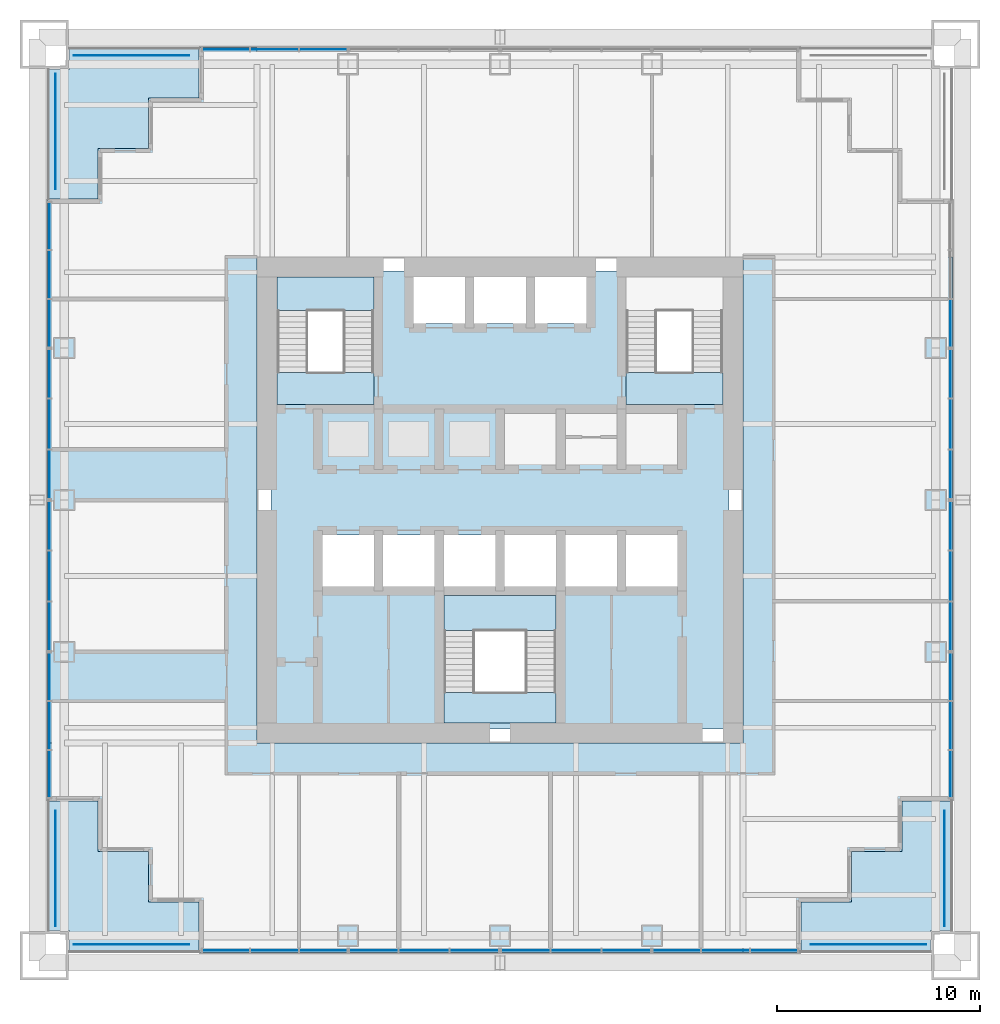
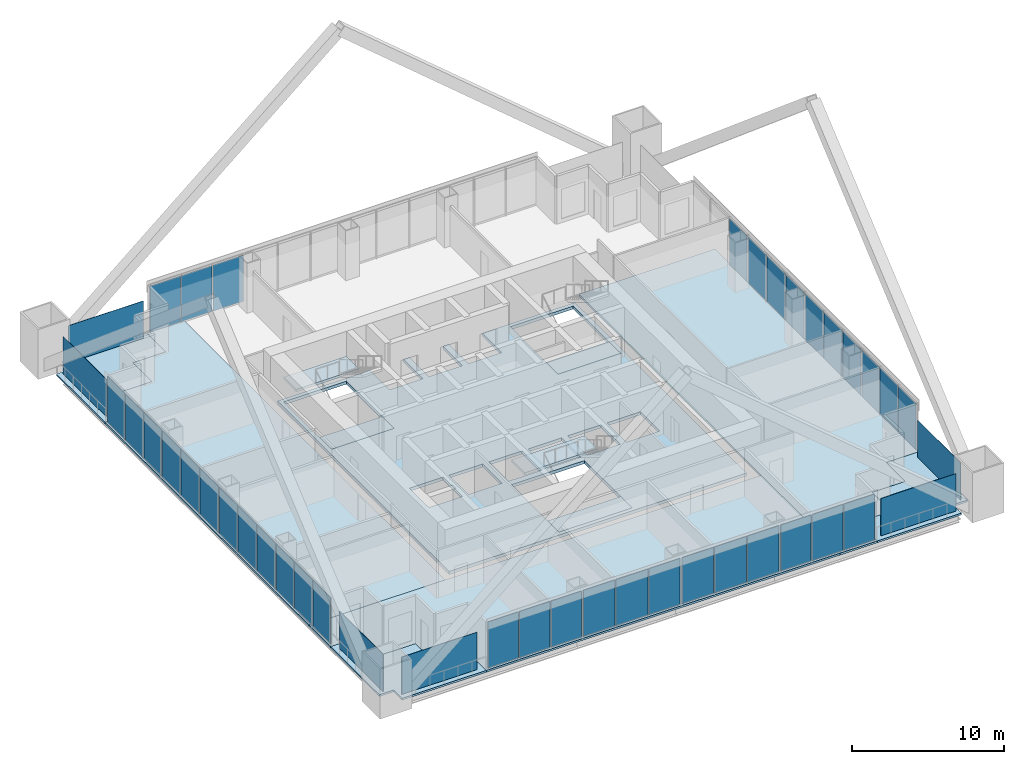
# One storey, part 7 of 14: 43 plates, 12 slabs, 16 elements without a shape of their own.
"""IFC4 building model written with IfcOpenShell, lengths in metres."""

from ifc_helpers import new_model, si_unit, direction, frame, origin, origin_2d, place, context, subcontext, project, spatial, polyline, rectangle, outline, extrude, material, layer, layer_set, type_object, element, aggregate, save


model = new_model("IFC4")

# Units and contexts
model_context = context("Model", 3, precision=1e-05, world=origin(), true_north=direction((0.0, 1.0)))
body_context = subcontext(model_context, "Body", "Model", "MODEL_VIEW")
ifc_project = project(units=[si_unit("LENGTHUNIT", "METRE"), si_unit("AREAUNIT", "SQUARE_METRE"), si_unit("VOLUMEUNIT", "CUBIC_METRE"), si_unit("PLANEANGLEUNIT", "RADIAN"), si_unit("MASSUNIT", "GRAM", prefix="KILO")], contexts=[model_context])

# Site, building, storey
site_placement = place(None, origin())
site = spatial("IfcSite", under=ifc_project, at=site_placement, CompositionType="ELEMENT")
building_placement = place(site_placement, origin())
building = spatial("IfcBuilding", under=site, at=building_placement, Name="Tarangal Relay Tower", CompositionType="ELEMENT")
storey_placement = place(building_placement, frame((0.0, 0.0, 177.89990234375)))
storey = spatial("IfcBuildingStorey", under=building, at=storey_placement, Name="L36", CompositionType="ELEMENT", Elevation=177.89990234375)

# Slabs
ifc_material_1 = material(Name="Concrete fc' 35 MPa", Category="concrete")
ifc_layer_1 = layer(ifc_material_1, 0.25)
ifc_layer_set_1 = layer_set([ifc_layer_1], Name="Core floor slab 250")
slab_type_1 = type_object("IfcSlabType", Name="Core floor slab 250", PredefinedType="FLOOR", material=ifc_layer_set_1)
slab_1_placement = place(storey_placement, frame((0.0, 0.0, -0.25)))
element("IfcSlab", 1, at=slab_1_placement, inside=storey, type_object=slab_type_1, Name="Core floor slab L36", PredefinedType="FLOOR", context=body_context, shape_type="SweptSolid", body=[
    extrude(outline(polyline([(11.300048828125, 11.300048828125), (11.300048828125, -11.300048828125), (-11.300048828125, -11.300048828125), (-11.300048828125, 11.300048828125), (-4.27490234375, 11.300048828125), (-4.27490234375, 8.72509765625), (-1.72509765625, 8.72509765625), (-1.72509765625, 11.300048828125), (-1.27490234375, 11.300048828125), (-1.27490234375, 8.72509765625), (1.27490234375, 8.72509765625), (1.27490234375, 11.300048828125), (1.72509765625, 11.300048828125), (1.72509765625, 8.72509765625), (4.27490234375, 8.72509765625), (4.27490234375, 11.300048828125), (11.300048828125, 11.300048828125)]), holes=[polyline([(-6.22509765625, -1.72509765625), (-8.77490234375, -1.72509765625), (-8.77490234375, -4.27490234375), (-6.22509765625, -4.27490234375), (-6.22509765625, -1.72509765625)]), polyline([(-3.22509765625, -4.27490234375), (-3.22509765625, -1.72509765625), (-5.77490234375, -1.72509765625), (-5.77490234375, -4.27490234375), (-3.22509765625, -4.27490234375)]), polyline([(-0.22509765625, -4.27490234375), (-0.22509765625, -1.72509765625), (-2.77490234375, -1.72509765625), (-2.77490234375, -4.27490234375), (-0.22509765625, -4.27490234375)]), polyline([(-6.22509765625, 11.0), (-11.0, 11.0), (-11.0, 4.72509765625), (-6.22509765625, 4.72509765625), (-6.22509765625, 11.0)]), polyline([(2.77490234375, -4.72509765625), (-2.77490234375, -4.72509765625), (-2.77490234375, -11.0), (2.77490234375, -11.0), (2.77490234375, -4.72509765625)]), polyline([(2.77490234375, -4.27490234375), (2.77490234375, -1.72509765625), (0.22509765625, -1.72509765625), (0.22509765625, -4.27490234375), (2.77490234375, -4.27490234375)]), polyline([(5.77490234375, -4.27490234375), (5.77490234375, -1.72509765625), (3.22509765625, -1.72509765625), (3.22509765625, -4.27490234375), (5.77490234375, -4.27490234375)]), polyline([(8.77490234375, -1.72509765625), (6.22509765625, -1.72509765625), (6.22509765625, -4.27490234375), (8.77490234375, -4.27490234375), (8.77490234375, -1.72509765625)]), polyline([(11.0, 4.72509765625), (11.0, 11.0), (6.22509765625, 11.0), (6.22509765625, 4.72509765625), (11.0, 4.72509765625)])]), origin(), (0.0, 0.0, 1.0), 0.25),
])
ifc_layer_2 = layer(ifc_material_1, 0.14990234375)
ifc_layer_set_2 = layer_set([ifc_layer_2], Name="Floor slab 150")
slab_type_2 = type_object("IfcSlabType", Name="Floor slab 150", PredefinedType="FLOOR", material=ifc_layer_set_2)
slab_2_placement = place(storey_placement, frame((0.0, 0.0, -0.14990234375)))
element("IfcSlab", 2, at=slab_2_placement, inside=storey, type_object=slab_type_2, Name="Floor slab FS3 L36 east bay", PredefinedType="FLOOR", context=body_context, shape_type="SweptSolid", body=[
    extrude(outline(polyline([(22.35009765625, -14.85009765625), (19.85009765625, -14.85009765625), (19.85009765625, -17.35009765625), (17.35009765625, -17.35009765625), (17.35009765625, -19.85009765625), (14.85009765625, -19.85009765625), (14.85009765625, -22.35009765625), (12.0, -22.35009765625), (12.0, 12.0), (22.35009765625, 12.0), (22.35009765625, -14.85009765625)])), origin(), (0.0, 0.0, 1.0), 0.14990234375),
])
slab_3_placement = place(storey_placement, frame((0.0, 0.0, -0.14990234375)))
element("IfcSlab", 3, at=slab_3_placement, inside=storey, type_object=slab_type_2, Name="Floor slab FS3 L36 south bay", PredefinedType="FLOOR", context=body_context, shape_type="SweptSolid", body=[
    extrude(outline(polyline([(-14.85009765625, -22.35009765625), (-14.85009765625, -19.85009765625), (-17.35009765625, -19.85009765625), (-17.35009765625, -17.35009765625), (-19.85009765625, -17.35009765625), (-19.85009765625, -14.85009765625), (-22.35009765625, -14.85009765625), (-22.35009765625, -12.0), (12.0, -12.0), (12.0, -22.35009765625), (-14.85009765625, -22.35009765625)])), origin(), (0.0, 0.0, 1.0), 0.14990234375),
])
slab_4_placement = place(storey_placement, frame((0.0, 0.0, -0.14990234375)))
element("IfcSlab", 4, at=slab_4_placement, inside=storey, type_object=slab_type_2, Name="Floor slab FS3 L36 west bay", PredefinedType="FLOOR", context=body_context, shape_type="SweptSolid", body=[
    extrude(outline(polyline([(-12.0, 22.35009765625), (-12.0, -12.0), (-22.35009765625, -12.0), (-22.35009765625, 14.85009765625), (-19.85009765625, 14.85009765625), (-19.85009765625, 17.35009765625), (-17.35009765625, 17.35009765625), (-17.35009765625, 19.85009765625), (-14.85009765625, 19.85009765625), (-14.85009765625, 22.35009765625), (-12.0, 22.35009765625)])), origin(), (0.0, 0.0, 1.0), 0.14990234375),
])

# Curtain wall, plates
ifc_material_2 = material(Name="Unitised curtain wall, dark glass and black aluminium", Category="aluminium")
curtain_wall_type = type_object("IfcCurtainWallType", Name="Curtain wall CW-S", PredefinedType="USERDEFINED", material=ifc_material_2)
curtain_wall_1_placement = place(storey_placement, origin())
curtain_wall_1 = element("IfcCurtainWall", 5, at=curtain_wall_1_placement, inside=storey, type_object=curtain_wall_type, Name="Curtain wall CW-S N facade L36", ObjectType="UNITISED CURTAIN WALL", PredefinedType="USERDEFINED")
ifc_material_3 = material(Name="Dark tinted insulated glass unit", Category="glass")
ifc_layer_3 = layer(ifc_material_3, 0.035888671875)
ifc_layer_set_3 = layer_set([ifc_layer_3], Name="Glazed panel CW-S 36")
plate_type_1 = type_object("IfcPlateType", Name="Glazed panel CW-S 36", PredefinedType="CURTAIN_PANEL", material=ifc_layer_set_3)
plate_1_placement = place(storey_placement, frame((-13.52294921875, 22.25, 0.0751953125), z_axis=(0.0, 0.0, 1.0), x_axis=(1.0, 0.0, 0.0)))
plate_1 = element("IfcPlate", 6, at=plate_1_placement, type_object=plate_type_1, Name="CW-S panel 1.1", PredefinedType="CURTAIN_PANEL", context=body_context, shape_type="SweptSolid", body=[
    extrude(rectangle(XDim=2.30419921875, YDim=0.035888671875, at=origin_2d()), origin(), (0.0, 0.0, 1.0), 3.699951171875),
])
plate_2_placement = place(storey_placement, frame((-11.125, 22.25, 0.0751953125), z_axis=(0.0, 0.0, 1.0), x_axis=(1.0, 0.0, 0.0)))
plate_2 = element("IfcPlate", 7, at=plate_2_placement, type_object=plate_type_1, Name="CW-S panel 2.1", PredefinedType="CURTAIN_PANEL", context=body_context, shape_type="SweptSolid", body=[
    extrude(rectangle(XDim=2.341552734375, YDim=0.035888671875, at=origin_2d()), origin(), (0.0, 0.0, 1.0), 3.699951171875),
])
plate_3_placement = place(storey_placement, frame((-8.72705078125, 22.25, 0.0751953125), z_axis=(0.0, 0.0, 1.0), x_axis=(1.0, 0.0, 0.0)))
plate_3 = element("IfcPlate", 8, at=plate_3_placement, type_object=plate_type_1, Name="CW-S panel 3.1", PredefinedType="CURTAIN_PANEL", context=body_context, shape_type="SweptSolid", body=[
    extrude(rectangle(XDim=2.30419921875, YDim=0.035888671875, at=origin_2d()), origin(), (0.0, 0.0, 1.0), 3.699951171875),
])
aggregate(curtain_wall_1, [plate_1, plate_2, plate_3])

# Curtain wall, plate
curtain_wall_2_placement = place(storey_placement, origin())
curtain_wall_2 = element("IfcCurtainWall", 9, at=curtain_wall_2_placement, inside=storey, type_object=curtain_wall_type, Name="Curtain wall CW-S E facade L36", ObjectType="UNITISED CURTAIN WALL", PredefinedType="USERDEFINED")
plate_4_placement = place(storey_placement, frame((22.25, 8.72705078125, 0.0751953125), z_axis=(0.0, 0.0, 1.0), x_axis=(0.0, -1.0, 0.0)))
plate_4 = element("IfcPlate", 10, at=plate_4_placement, type_object=plate_type_1, Name="CW-S panel 3.1", PredefinedType="CURTAIN_PANEL", context=body_context, shape_type="SweptSolid", body=[
    extrude(rectangle(XDim=2.30419921875, YDim=0.035888671875, at=origin_2d()), origin(), (0.0, 0.0, 1.0), 3.699951171875),
])
aggregate(curtain_wall_2, [plate_4])

# Curtain wall, plates
curtain_wall_3_placement = place(storey_placement, origin())
curtain_wall_3 = element("IfcCurtainWall", 11, at=curtain_wall_3_placement, inside=storey, type_object=curtain_wall_type, Name="Curtain wall CW-S E facade L36", ObjectType="UNITISED CURTAIN WALL", PredefinedType="USERDEFINED")
plate_5_placement = place(storey_placement, frame((22.25, 6.231201171875, 0.0751953125), z_axis=(0.0, 0.0, 1.0), x_axis=(0.0, -1.0, 0.0)))
plate_5 = element("IfcPlate", 12, at=plate_5_placement, type_object=plate_type_1, Name="CW-S panel 1.1", PredefinedType="CURTAIN_PANEL", context=body_context, shape_type="SweptSolid", body=[
    extrude(rectangle(XDim=2.387451171875, YDim=0.035888671875, at=origin_2d()), origin(), (0.0, 0.0, 1.0), 3.699951171875),
])
plate_6_placement = place(storey_placement, frame((22.25, 3.75, 0.0751953125), z_axis=(0.0, 0.0, 1.0), x_axis=(0.0, -1.0, 0.0)))
plate_6 = element("IfcPlate", 13, at=plate_6_placement, type_object=plate_type_1, Name="CW-S panel 2.1", PredefinedType="CURTAIN_PANEL", context=body_context, shape_type="SweptSolid", body=[
    extrude(rectangle(XDim=2.425048828125, YDim=0.035888671875, at=origin_2d()), origin(), (0.0, 0.0, 1.0), 3.699951171875),
])
plate_7_placement = place(storey_placement, frame((22.25, 1.268798828125, 0.0751953125), z_axis=(0.0, 0.0, 1.0), x_axis=(0.0, -1.0, 0.0)))
plate_7 = element("IfcPlate", 14, at=plate_7_placement, type_object=plate_type_1, Name="CW-S panel 3.1", PredefinedType="CURTAIN_PANEL", context=body_context, shape_type="SweptSolid", body=[
    extrude(rectangle(XDim=2.387451171875, YDim=0.035888671875, at=origin_2d()), origin(), (0.0, 0.0, 1.0), 3.699951171875),
])
aggregate(curtain_wall_3, [plate_5, plate_6, plate_7])

curtain_wall_4_placement = place(storey_placement, origin())
curtain_wall_4 = element("IfcCurtainWall", 15, at=curtain_wall_4_placement, inside=storey, type_object=curtain_wall_type, Name="Curtain wall CW-S E facade L36", ObjectType="UNITISED CURTAIN WALL", PredefinedType="USERDEFINED")
plate_8_placement = place(storey_placement, frame((22.25, -1.268798828125, 0.0751953125), z_axis=(0.0, 0.0, 1.0), x_axis=(0.0, -1.0, 0.0)))
plate_8 = element("IfcPlate", 16, at=plate_8_placement, type_object=plate_type_1, Name="CW-S panel 1.1", PredefinedType="CURTAIN_PANEL", context=body_context, shape_type="SweptSolid", body=[
    extrude(rectangle(XDim=2.387451171875, YDim=0.035888671875, at=origin_2d()), origin(), (0.0, 0.0, 1.0), 3.699951171875),
])
plate_9_placement = place(storey_placement, frame((22.25, -3.75, 0.0751953125), z_axis=(0.0, 0.0, 1.0), x_axis=(0.0, -1.0, 0.0)))
plate_9 = element("IfcPlate", 17, at=plate_9_placement, type_object=plate_type_1, Name="CW-S panel 2.1", PredefinedType="CURTAIN_PANEL", context=body_context, shape_type="SweptSolid", body=[
    extrude(rectangle(XDim=2.425048828125, YDim=0.035888671875, at=origin_2d()), origin(), (0.0, 0.0, 1.0), 3.699951171875),
])
plate_10_placement = place(storey_placement, frame((22.25, -6.231201171875, 0.0751953125), z_axis=(0.0, 0.0, 1.0), x_axis=(0.0, -1.0, 0.0)))
plate_10 = element("IfcPlate", 18, at=plate_10_placement, type_object=plate_type_1, Name="CW-S panel 3.1", PredefinedType="CURTAIN_PANEL", context=body_context, shape_type="SweptSolid", body=[
    extrude(rectangle(XDim=2.387451171875, YDim=0.035888671875, at=origin_2d()), origin(), (0.0, 0.0, 1.0), 3.699951171875),
])
aggregate(curtain_wall_4, [plate_8, plate_9, plate_10])

curtain_wall_5_placement = place(storey_placement, origin())
curtain_wall_5 = element("IfcCurtainWall", 19, at=curtain_wall_5_placement, inside=storey, type_object=curtain_wall_type, Name="Curtain wall CW-S E facade L36", ObjectType="UNITISED CURTAIN WALL", PredefinedType="USERDEFINED")
plate_11_placement = place(storey_placement, frame((22.25, -8.72705078125, 0.0751953125), z_axis=(0.0, 0.0, 1.0), x_axis=(0.0, -1.0, 0.0)))
plate_11 = element("IfcPlate", 20, at=plate_11_placement, type_object=plate_type_1, Name="CW-S panel 1.1", PredefinedType="CURTAIN_PANEL", context=body_context, shape_type="SweptSolid", body=[
    extrude(rectangle(XDim=2.30419921875, YDim=0.035888671875, at=origin_2d()), origin(), (0.0, 0.0, 1.0), 3.699951171875),
])
plate_12_placement = place(storey_placement, frame((22.25, -11.125, 0.0751953125), z_axis=(0.0, 0.0, 1.0), x_axis=(0.0, -1.0, 0.0)))
plate_12 = element("IfcPlate", 21, at=plate_12_placement, type_object=plate_type_1, Name="CW-S panel 2.1", PredefinedType="CURTAIN_PANEL", context=body_context, shape_type="SweptSolid", body=[
    extrude(rectangle(XDim=2.341552734375, YDim=0.035888671875, at=origin_2d()), origin(), (0.0, 0.0, 1.0), 3.699951171875),
])
plate_13_placement = place(storey_placement, frame((22.25, -13.52294921875, 0.0751953125), z_axis=(0.0, 0.0, 1.0), x_axis=(0.0, -1.0, 0.0)))
plate_13 = element("IfcPlate", 22, at=plate_13_placement, type_object=plate_type_1, Name="CW-S panel 3.1", PredefinedType="CURTAIN_PANEL", context=body_context, shape_type="SweptSolid", body=[
    extrude(rectangle(XDim=2.30419921875, YDim=0.035888671875, at=origin_2d()), origin(), (0.0, 0.0, 1.0), 3.699951171875),
])
aggregate(curtain_wall_5, [plate_11, plate_12, plate_13])

curtain_wall_6_placement = place(storey_placement, origin())
curtain_wall_6 = element("IfcCurtainWall", 23, at=curtain_wall_6_placement, inside=storey, type_object=curtain_wall_type, Name="Curtain wall CW-S S facade L36", ObjectType="UNITISED CURTAIN WALL", PredefinedType="USERDEFINED")
plate_14_placement = place(storey_placement, frame((13.52294921875, -22.25, 0.0751953125), z_axis=(0.0, 0.0, 1.0), x_axis=(-1.0, 0.0, 0.0)))
plate_14 = element("IfcPlate", 24, at=plate_14_placement, type_object=plate_type_1, Name="CW-S panel 1.1", PredefinedType="CURTAIN_PANEL", context=body_context, shape_type="SweptSolid", body=[
    extrude(rectangle(XDim=2.30419921875, YDim=0.035888671875, at=origin_2d()), origin(), (0.0, 0.0, 1.0), 3.699951171875),
])
plate_15_placement = place(storey_placement, frame((11.125, -22.25, 0.0751953125), z_axis=(0.0, 0.0, 1.0), x_axis=(-1.0, 0.0, 0.0)))
plate_15 = element("IfcPlate", 25, at=plate_15_placement, type_object=plate_type_1, Name="CW-S panel 2.1", PredefinedType="CURTAIN_PANEL", context=body_context, shape_type="SweptSolid", body=[
    extrude(rectangle(XDim=2.341552734375, YDim=0.035888671875, at=origin_2d()), origin(), (0.0, 0.0, 1.0), 3.699951171875),
])
plate_16_placement = place(storey_placement, frame((8.72705078125, -22.25, 0.0751953125), z_axis=(0.0, 0.0, 1.0), x_axis=(-1.0, 0.0, 0.0)))
plate_16 = element("IfcPlate", 26, at=plate_16_placement, type_object=plate_type_1, Name="CW-S panel 3.1", PredefinedType="CURTAIN_PANEL", context=body_context, shape_type="SweptSolid", body=[
    extrude(rectangle(XDim=2.30419921875, YDim=0.035888671875, at=origin_2d()), origin(), (0.0, 0.0, 1.0), 3.699951171875),
])
aggregate(curtain_wall_6, [plate_14, plate_15, plate_16])

curtain_wall_7_placement = place(storey_placement, origin())
curtain_wall_7 = element("IfcCurtainWall", 27, at=curtain_wall_7_placement, inside=storey, type_object=curtain_wall_type, Name="Curtain wall CW-S S facade L36", ObjectType="UNITISED CURTAIN WALL", PredefinedType="USERDEFINED")
plate_17_placement = place(storey_placement, frame((6.231201171875, -22.25, 0.0751953125), z_axis=(0.0, 0.0, 1.0), x_axis=(-1.0, 0.0, 0.0)))
plate_17 = element("IfcPlate", 28, at=plate_17_placement, type_object=plate_type_1, Name="CW-S panel 1.1", PredefinedType="CURTAIN_PANEL", context=body_context, shape_type="SweptSolid", body=[
    extrude(rectangle(XDim=2.387451171875, YDim=0.035888671875, at=origin_2d()), origin(), (0.0, 0.0, 1.0), 3.699951171875),
])
plate_18_placement = place(storey_placement, frame((3.75, -22.25, 0.0751953125), z_axis=(0.0, 0.0, 1.0), x_axis=(-1.0, 0.0, 0.0)))
plate_18 = element("IfcPlate", 29, at=plate_18_placement, type_object=plate_type_1, Name="CW-S panel 2.1", PredefinedType="CURTAIN_PANEL", context=body_context, shape_type="SweptSolid", body=[
    extrude(rectangle(XDim=2.425048828125, YDim=0.035888671875, at=origin_2d()), origin(), (0.0, 0.0, 1.0), 3.699951171875),
])
plate_19_placement = place(storey_placement, frame((1.268798828125, -22.25, 0.0751953125), z_axis=(0.0, 0.0, 1.0), x_axis=(-1.0, 0.0, 0.0)))
plate_19 = element("IfcPlate", 30, at=plate_19_placement, type_object=plate_type_1, Name="CW-S panel 3.1", PredefinedType="CURTAIN_PANEL", context=body_context, shape_type="SweptSolid", body=[
    extrude(rectangle(XDim=2.387451171875, YDim=0.035888671875, at=origin_2d()), origin(), (0.0, 0.0, 1.0), 3.699951171875),
])
aggregate(curtain_wall_7, [plate_17, plate_18, plate_19])

curtain_wall_8_placement = place(storey_placement, origin())
curtain_wall_8 = element("IfcCurtainWall", 31, at=curtain_wall_8_placement, inside=storey, type_object=curtain_wall_type, Name="Curtain wall CW-S S facade L36", ObjectType="UNITISED CURTAIN WALL", PredefinedType="USERDEFINED")
plate_20_placement = place(storey_placement, frame((-1.268798828125, -22.25, 0.0751953125), z_axis=(0.0, 0.0, 1.0), x_axis=(-1.0, 0.0, 0.0)))
plate_20 = element("IfcPlate", 32, at=plate_20_placement, type_object=plate_type_1, Name="CW-S panel 1.1", PredefinedType="CURTAIN_PANEL", context=body_context, shape_type="SweptSolid", body=[
    extrude(rectangle(XDim=2.387451171875, YDim=0.035888671875, at=origin_2d()), origin(), (0.0, 0.0, 1.0), 3.699951171875),
])
plate_21_placement = place(storey_placement, frame((-3.75, -22.25, 0.0751953125), z_axis=(0.0, 0.0, 1.0), x_axis=(-1.0, 0.0, 0.0)))
plate_21 = element("IfcPlate", 33, at=plate_21_placement, type_object=plate_type_1, Name="CW-S panel 2.1", PredefinedType="CURTAIN_PANEL", context=body_context, shape_type="SweptSolid", body=[
    extrude(rectangle(XDim=2.425048828125, YDim=0.035888671875, at=origin_2d()), origin(), (0.0, 0.0, 1.0), 3.699951171875),
])
plate_22_placement = place(storey_placement, frame((-6.231201171875, -22.25, 0.0751953125), z_axis=(0.0, 0.0, 1.0), x_axis=(-1.0, 0.0, 0.0)))
plate_22 = element("IfcPlate", 34, at=plate_22_placement, type_object=plate_type_1, Name="CW-S panel 3.1", PredefinedType="CURTAIN_PANEL", context=body_context, shape_type="SweptSolid", body=[
    extrude(rectangle(XDim=2.387451171875, YDim=0.035888671875, at=origin_2d()), origin(), (0.0, 0.0, 1.0), 3.699951171875),
])
aggregate(curtain_wall_8, [plate_20, plate_21, plate_22])

curtain_wall_9_placement = place(storey_placement, origin())
curtain_wall_9 = element("IfcCurtainWall", 35, at=curtain_wall_9_placement, inside=storey, type_object=curtain_wall_type, Name="Curtain wall CW-S S facade L36", ObjectType="UNITISED CURTAIN WALL", PredefinedType="USERDEFINED")
plate_23_placement = place(storey_placement, frame((-8.72705078125, -22.25, 0.0751953125), z_axis=(0.0, 0.0, 1.0), x_axis=(-1.0, 0.0, 0.0)))
plate_23 = element("IfcPlate", 36, at=plate_23_placement, type_object=plate_type_1, Name="CW-S panel 1.1", PredefinedType="CURTAIN_PANEL", context=body_context, shape_type="SweptSolid", body=[
    extrude(rectangle(XDim=2.30419921875, YDim=0.035888671875, at=origin_2d()), origin(), (0.0, 0.0, 1.0), 3.699951171875),
])
plate_24_placement = place(storey_placement, frame((-11.125, -22.25, 0.0751953125), z_axis=(0.0, 0.0, 1.0), x_axis=(-1.0, 0.0, 0.0)))
plate_24 = element("IfcPlate", 37, at=plate_24_placement, type_object=plate_type_1, Name="CW-S panel 2.1", PredefinedType="CURTAIN_PANEL", context=body_context, shape_type="SweptSolid", body=[
    extrude(rectangle(XDim=2.341552734375, YDim=0.035888671875, at=origin_2d()), origin(), (0.0, 0.0, 1.0), 3.699951171875),
])
plate_25_placement = place(storey_placement, frame((-13.52294921875, -22.25, 0.0751953125), z_axis=(0.0, 0.0, 1.0), x_axis=(-1.0, 0.0, 0.0)))
plate_25 = element("IfcPlate", 38, at=plate_25_placement, type_object=plate_type_1, Name="CW-S panel 3.1", PredefinedType="CURTAIN_PANEL", context=body_context, shape_type="SweptSolid", body=[
    extrude(rectangle(XDim=2.30419921875, YDim=0.035888671875, at=origin_2d()), origin(), (0.0, 0.0, 1.0), 3.699951171875),
])
aggregate(curtain_wall_9, [plate_23, plate_24, plate_25])

curtain_wall_10_placement = place(storey_placement, origin())
curtain_wall_10 = element("IfcCurtainWall", 39, at=curtain_wall_10_placement, inside=storey, type_object=curtain_wall_type, Name="Curtain wall CW-S W facade L36", ObjectType="UNITISED CURTAIN WALL", PredefinedType="USERDEFINED")
plate_26_placement = place(storey_placement, frame((-22.25, -13.52294921875, 0.0751953125), z_axis=(0.0, 0.0, 1.0), x_axis=(0.0, 1.0, 0.0)))
plate_26 = element("IfcPlate", 40, at=plate_26_placement, type_object=plate_type_1, Name="CW-S panel 1.1", PredefinedType="CURTAIN_PANEL", context=body_context, shape_type="SweptSolid", body=[
    extrude(rectangle(XDim=2.30419921875, YDim=0.035888671875, at=origin_2d()), origin(), (0.0, 0.0, 1.0), 3.699951171875),
])
plate_27_placement = place(storey_placement, frame((-22.25, -11.125, 0.0751953125), z_axis=(0.0, 0.0, 1.0), x_axis=(0.0, 1.0, 0.0)))
plate_27 = element("IfcPlate", 41, at=plate_27_placement, type_object=plate_type_1, Name="CW-S panel 2.1", PredefinedType="CURTAIN_PANEL", context=body_context, shape_type="SweptSolid", body=[
    extrude(rectangle(XDim=2.341552734375, YDim=0.035888671875, at=origin_2d()), origin(), (0.0, 0.0, 1.0), 3.699951171875),
])
plate_28_placement = place(storey_placement, frame((-22.25, -8.72705078125, 0.0751953125), z_axis=(0.0, 0.0, 1.0), x_axis=(0.0, 1.0, 0.0)))
plate_28 = element("IfcPlate", 42, at=plate_28_placement, type_object=plate_type_1, Name="CW-S panel 3.1", PredefinedType="CURTAIN_PANEL", context=body_context, shape_type="SweptSolid", body=[
    extrude(rectangle(XDim=2.30419921875, YDim=0.035888671875, at=origin_2d()), origin(), (0.0, 0.0, 1.0), 3.699951171875),
])
aggregate(curtain_wall_10, [plate_26, plate_27, plate_28])

curtain_wall_11_placement = place(storey_placement, origin())
curtain_wall_11 = element("IfcCurtainWall", 43, at=curtain_wall_11_placement, inside=storey, type_object=curtain_wall_type, Name="Curtain wall CW-S W facade L36", ObjectType="UNITISED CURTAIN WALL", PredefinedType="USERDEFINED")
plate_29_placement = place(storey_placement, frame((-22.25, -6.231201171875, 0.0751953125), z_axis=(0.0, 0.0, 1.0), x_axis=(0.0, 1.0, 0.0)))
plate_29 = element("IfcPlate", 44, at=plate_29_placement, type_object=plate_type_1, Name="CW-S panel 1.1", PredefinedType="CURTAIN_PANEL", context=body_context, shape_type="SweptSolid", body=[
    extrude(rectangle(XDim=2.387451171875, YDim=0.035888671875, at=origin_2d()), origin(), (0.0, 0.0, 1.0), 3.699951171875),
])
plate_30_placement = place(storey_placement, frame((-22.25, -3.75, 0.0751953125), z_axis=(0.0, 0.0, 1.0), x_axis=(0.0, 1.0, 0.0)))
plate_30 = element("IfcPlate", 45, at=plate_30_placement, type_object=plate_type_1, Name="CW-S panel 2.1", PredefinedType="CURTAIN_PANEL", context=body_context, shape_type="SweptSolid", body=[
    extrude(rectangle(XDim=2.425048828125, YDim=0.035888671875, at=origin_2d()), origin(), (0.0, 0.0, 1.0), 3.699951171875),
])
plate_31_placement = place(storey_placement, frame((-22.25, -1.268798828125, 0.0751953125), z_axis=(0.0, 0.0, 1.0), x_axis=(0.0, 1.0, 0.0)))
plate_31 = element("IfcPlate", 46, at=plate_31_placement, type_object=plate_type_1, Name="CW-S panel 3.1", PredefinedType="CURTAIN_PANEL", context=body_context, shape_type="SweptSolid", body=[
    extrude(rectangle(XDim=2.387451171875, YDim=0.035888671875, at=origin_2d()), origin(), (0.0, 0.0, 1.0), 3.699951171875),
])
aggregate(curtain_wall_11, [plate_29, plate_30, plate_31])

curtain_wall_12_placement = place(storey_placement, origin())
curtain_wall_12 = element("IfcCurtainWall", 47, at=curtain_wall_12_placement, inside=storey, type_object=curtain_wall_type, Name="Curtain wall CW-S W facade L36", ObjectType="UNITISED CURTAIN WALL", PredefinedType="USERDEFINED")
plate_32_placement = place(storey_placement, frame((-22.25, 1.268798828125, 0.0751953125), z_axis=(0.0, 0.0, 1.0), x_axis=(0.0, 1.0, 0.0)))
plate_32 = element("IfcPlate", 48, at=plate_32_placement, type_object=plate_type_1, Name="CW-S panel 1.1", PredefinedType="CURTAIN_PANEL", context=body_context, shape_type="SweptSolid", body=[
    extrude(rectangle(XDim=2.387451171875, YDim=0.035888671875, at=origin_2d()), origin(), (0.0, 0.0, 1.0), 3.699951171875),
])
plate_33_placement = place(storey_placement, frame((-22.25, 3.75, 0.0751953125), z_axis=(0.0, 0.0, 1.0), x_axis=(0.0, 1.0, 0.0)))
plate_33 = element("IfcPlate", 49, at=plate_33_placement, type_object=plate_type_1, Name="CW-S panel 2.1", PredefinedType="CURTAIN_PANEL", context=body_context, shape_type="SweptSolid", body=[
    extrude(rectangle(XDim=2.425048828125, YDim=0.035888671875, at=origin_2d()), origin(), (0.0, 0.0, 1.0), 3.699951171875),
])
plate_34_placement = place(storey_placement, frame((-22.25, 6.231201171875, 0.0751953125), z_axis=(0.0, 0.0, 1.0), x_axis=(0.0, 1.0, 0.0)))
plate_34 = element("IfcPlate", 50, at=plate_34_placement, type_object=plate_type_1, Name="CW-S panel 3.1", PredefinedType="CURTAIN_PANEL", context=body_context, shape_type="SweptSolid", body=[
    extrude(rectangle(XDim=2.387451171875, YDim=0.035888671875, at=origin_2d()), origin(), (0.0, 0.0, 1.0), 3.699951171875),
])
aggregate(curtain_wall_12, [plate_32, plate_33, plate_34])

curtain_wall_13_placement = place(storey_placement, origin())
curtain_wall_13 = element("IfcCurtainWall", 51, at=curtain_wall_13_placement, inside=storey, type_object=curtain_wall_type, Name="Curtain wall CW-S W facade L36", ObjectType="UNITISED CURTAIN WALL", PredefinedType="USERDEFINED")
plate_35_placement = place(storey_placement, frame((-22.25, 8.72705078125, 0.0751953125), z_axis=(0.0, 0.0, 1.0), x_axis=(0.0, 1.0, 0.0)))
plate_35 = element("IfcPlate", 52, at=plate_35_placement, type_object=plate_type_1, Name="CW-S panel 1.1", PredefinedType="CURTAIN_PANEL", context=body_context, shape_type="SweptSolid", body=[
    extrude(rectangle(XDim=2.30419921875, YDim=0.035888671875, at=origin_2d()), origin(), (0.0, 0.0, 1.0), 3.699951171875),
])
plate_36_placement = place(storey_placement, frame((-22.25, 11.125, 0.0751953125), z_axis=(0.0, 0.0, 1.0), x_axis=(0.0, 1.0, 0.0)))
plate_36 = element("IfcPlate", 53, at=plate_36_placement, type_object=plate_type_1, Name="CW-S panel 2.1", PredefinedType="CURTAIN_PANEL", context=body_context, shape_type="SweptSolid", body=[
    extrude(rectangle(XDim=2.341552734375, YDim=0.035888671875, at=origin_2d()), origin(), (0.0, 0.0, 1.0), 3.699951171875),
])
plate_37_placement = place(storey_placement, frame((-22.25, 13.52294921875, 0.0751953125), z_axis=(0.0, 0.0, 1.0), x_axis=(0.0, 1.0, 0.0)))
plate_37 = element("IfcPlate", 54, at=plate_37_placement, type_object=plate_type_1, Name="CW-S panel 3.1", PredefinedType="CURTAIN_PANEL", context=body_context, shape_type="SweptSolid", body=[
    extrude(rectangle(XDim=2.30419921875, YDim=0.035888671875, at=origin_2d()), origin(), (0.0, 0.0, 1.0), 3.699951171875),
])
aggregate(curtain_wall_13, [plate_35, plate_36, plate_37])

# Plates
ifc_material_4 = material(Name="Black stainless steel cable trellis with climbing planting", Category="steel")
ifc_layer_4 = layer(ifc_material_4, 0.030029296875)
ifc_layer_set_4 = layer_set([ifc_layer_4], Name="Planted trellis screen")
plate_type_2 = type_object("IfcPlateType", Name="Planted trellis screen", PredefinedType="SHEET", material=ifc_layer_set_4)
for number, where, z_axis, x_axis, name in (
    (55, (18.199951171875, -21.949951171875, 0.0), (0.0, 0.0, 1.0), (-1.0, 0.0, 0.0), "Planted trellis SC2 SE L36"),
    (56, (-21.949951171875, -18.199951171875, 0.0), (0.0, 0.0, 1.0), (0.0, 1.0, 0.0), "Planted trellis SC2 SW L36"),
    (57, (-18.199951171875, 21.949951171875, 0.0), (0.0, 0.0, 1.0), (1.0, 0.0, 0.0), "Planted trellis SC2 NW L36"),
):
    element("IfcPlate", number, at=place(storey_placement, frame(where, z_axis=z_axis, x_axis=x_axis)), inside=storey, type_object=plate_type_2, Name=name, PredefinedType="SHEET", context=body_context, shape_type="SweptSolid", body=[
        extrude(rectangle(XDim=5.699951171875, YDim=0.030029296875, at=origin_2d()), origin(), (0.0, 0.0, 1.0), 3.0),
    ])

# Stair, slabs
ifc_material_5 = material(Name="Steel ASTM A992 stair flight", Category="steel")
stair_type = type_object("IfcStairType", Name="Core stair 1500", PredefinedType="HALF_TURN_STAIR", material=ifc_material_5)
stair_1_placement = place(storey_placement, origin())
stair_1 = element("IfcStair", 58, at=stair_1_placement, inside=storey, type_object=stair_type, Name="Stair ST-A L36", PredefinedType="HALF_TURN_STAIR")
ifc_layer_5 = layer(ifc_material_1, 0.199951171875)
ifc_layer_set_5 = layer_set([ifc_layer_5], Name="Stair landing 200")
slab_type_3 = type_object("IfcSlabType", Name="Stair landing 200", PredefinedType="LANDING", material=ifc_layer_set_5)
slab_5_placement = place(storey_placement, frame((0.0, 0.0, -0.199951171875)))
slab_5 = element("IfcSlab", 59, at=slab_5_placement, type_object=slab_type_3, Name="ST-A landing 1", PredefinedType="LANDING", context=body_context, shape_type="SweptSolid", body=[
    extrude(outline(polyline([(-11.0, 4.72509765625), (-6.22509765625, 4.72509765625), (-6.22509765625, 6.300048828125), (-11.0, 6.300048828125), (-11.0, 4.72509765625)])), origin(), (0.0, 0.0, 1.0), 0.199951171875),
])
slab_6_placement = place(storey_placement, frame((0.0, 0.0, 1.800048828125)))
slab_6 = element("IfcSlab", 60, at=slab_6_placement, type_object=slab_type_3, Name="ST-A landing 2", PredefinedType="LANDING", context=body_context, shape_type="SweptSolid", body=[
    extrude(outline(polyline([(-11.0, 9.346923828125), (-6.22509765625, 9.346923828125), (-6.22509765625, 11.0), (-11.0, 11.0), (-11.0, 9.346923828125)])), origin(), (0.0, 0.0, 1.0), 0.199951171875),
])
aggregate(stair_1, [slab_5, slab_6])

# Stair, slab
stair_2_placement = place(storey_placement, origin())
stair_2 = element("IfcStair", 61, at=stair_2_placement, inside=storey, type_object=stair_type, Name="Stair ST-B L36", PredefinedType="HALF_TURN_STAIR")
slab_7_placement = place(storey_placement, frame((0.0, 0.0, -0.199951171875)))
slab_7 = element("IfcSlab", 62, at=slab_7_placement, type_object=slab_type_3, Name="ST-B landing 1", PredefinedType="LANDING", context=body_context, shape_type="SweptSolid", body=[
    extrude(outline(polyline([(6.22509765625, 4.72509765625), (11.0, 4.72509765625), (11.0, 6.300048828125), (6.22509765625, 6.300048828125), (6.22509765625, 4.72509765625)])), origin(), (0.0, 0.0, 1.0), 0.199951171875),
])
aggregate(stair_2, [slab_7])

# Stair, slabs
stair_3_placement = place(storey_placement, origin())
stair_3 = element("IfcStair", 63, at=stair_3_placement, inside=storey, type_object=stair_type, Name="Stair ST-C L36", PredefinedType="HALF_TURN_STAIR")
slab_8_placement = place(storey_placement, frame((0.0, 0.0, -0.199951171875)))
slab_8 = element("IfcSlab", 64, at=slab_8_placement, type_object=slab_type_3, Name="ST-C landing 1", PredefinedType="LANDING", context=body_context, shape_type="SweptSolid", body=[
    extrude(outline(polyline([(-2.77490234375, -11.0), (2.77490234375, -11.0), (2.77490234375, -9.5), (-2.77490234375, -9.5), (-2.77490234375, -11.0)])), origin(), (0.0, 0.0, 1.0), 0.199951171875),
])
slab_9_placement = place(storey_placement, frame((0.0, 0.0, 1.800048828125)))
slab_9 = element("IfcSlab", 65, at=slab_9_placement, type_object=slab_type_3, Name="ST-C landing 2", PredefinedType="LANDING", context=body_context, shape_type="SweptSolid", body=[
    extrude(outline(polyline([(-2.77490234375, -6.452880859375), (2.77490234375, -6.452880859375), (2.77490234375, -4.72509765625), (-2.77490234375, -4.72509765625), (-2.77490234375, -6.452880859375)])), origin(), (0.0, 0.0, 1.0), 0.199951171875),
])
aggregate(stair_3, [slab_8, slab_9])

# Plates
ifc_material_6 = material(Name="Perforated black aluminium screen", Category="aluminium")
ifc_layer_6 = layer(ifc_material_6, 0.02001953125)
ifc_layer_set_6 = layer_set([ifc_layer_6], Name="Terrace screen panel")
plate_type_3 = type_object("IfcPlateType", Name="Terrace screen panel", PredefinedType="SHEET", material=ifc_layer_set_6)
for number, where, z_axis, x_axis, name in (
    (66, (21.949951171875, -18.199951171875, 0.0), (0.0, 0.0, 1.0), (0.0, -1.0, 0.0), "Terrace screen SC1 SE L36"),
    (67, (-18.199951171875, -21.949951171875, 0.0), (0.0, 0.0, 1.0), (-1.0, 0.0, 0.0), "Terrace screen SC1 SW L36"),
    (68, (-21.949951171875, 18.199951171875, 0.0), (0.0, 0.0, 1.0), (0.0, 1.0, 0.0), "Terrace screen SC1 NW L36"),
):
    element("IfcPlate", number, at=place(storey_placement, frame(where, z_axis=z_axis, x_axis=x_axis)), inside=storey, type_object=plate_type_3, Name=name, PredefinedType="SHEET", context=body_context, shape_type="SweptSolid", body=[
        extrude(rectangle(XDim=5.699951171875, YDim=0.02001953125, at=origin_2d()), origin(), (0.0, 0.0, 1.0), 3.0),
    ])

# Slabs
ifc_layer_7 = layer(ifc_material_1, 0.14990234375)
ifc_layer_set_7 = layer_set([ifc_layer_7], Name="Terrace slab 150")
slab_type_4 = type_object("IfcSlabType", Name="Terrace slab 150", PredefinedType="FLOOR", material=ifc_layer_set_7)
slab_10_placement = place(storey_placement, frame((0.0, 0.0, -0.14990234375)))
element("IfcSlab", 69, at=slab_10_placement, inside=storey, type_object=slab_type_4, Name="Corner terrace SE L36", PredefinedType="FLOOR", context=body_context, shape_type="SweptSolid", body=[
    extrude(outline(polyline([(22.35009765625, -14.85009765625), (19.85009765625, -14.85009765625), (19.85009765625, -17.35009765625), (17.35009765625, -17.35009765625), (17.35009765625, -19.85009765625), (14.85009765625, -19.85009765625), (14.85009765625, -22.35009765625), (21.25, -22.35009765625), (21.25, -21.25), (22.35009765625, -21.25), (22.35009765625, -14.85009765625)])), origin(), (0.0, 0.0, 1.0), 0.14990234375),
])
slab_11_placement = place(storey_placement, frame((0.0, 0.0, -0.14990234375)))
element("IfcSlab", 70, at=slab_11_placement, inside=storey, type_object=slab_type_4, Name="Corner terrace SW L36", PredefinedType="FLOOR", context=body_context, shape_type="SweptSolid", body=[
    extrude(outline(polyline([(-14.85009765625, -22.35009765625), (-14.85009765625, -19.85009765625), (-17.35009765625, -19.85009765625), (-17.35009765625, -17.35009765625), (-19.85009765625, -17.35009765625), (-19.85009765625, -14.85009765625), (-22.35009765625, -14.85009765625), (-22.35009765625, -21.25), (-21.25, -21.25), (-21.25, -22.35009765625), (-14.85009765625, -22.35009765625)])), origin(), (0.0, 0.0, 1.0), 0.14990234375),
])
slab_12_placement = place(storey_placement, frame((0.0, 0.0, -0.14990234375)))
element("IfcSlab", 71, at=slab_12_placement, inside=storey, type_object=slab_type_4, Name="Corner terrace NW L36", PredefinedType="FLOOR", context=body_context, shape_type="SweptSolid", body=[
    extrude(outline(polyline([(-22.35009765625, 14.85009765625), (-19.85009765625, 14.85009765625), (-19.85009765625, 17.35009765625), (-17.35009765625, 17.35009765625), (-17.35009765625, 19.85009765625), (-14.85009765625, 19.85009765625), (-14.85009765625, 22.35009765625), (-21.25, 22.35009765625), (-21.25, 21.25), (-22.35009765625, 21.25), (-22.35009765625, 14.85009765625)])), origin(), (0.0, 0.0, 1.0), 0.14990234375),
])

save(model, "model.ifc")
